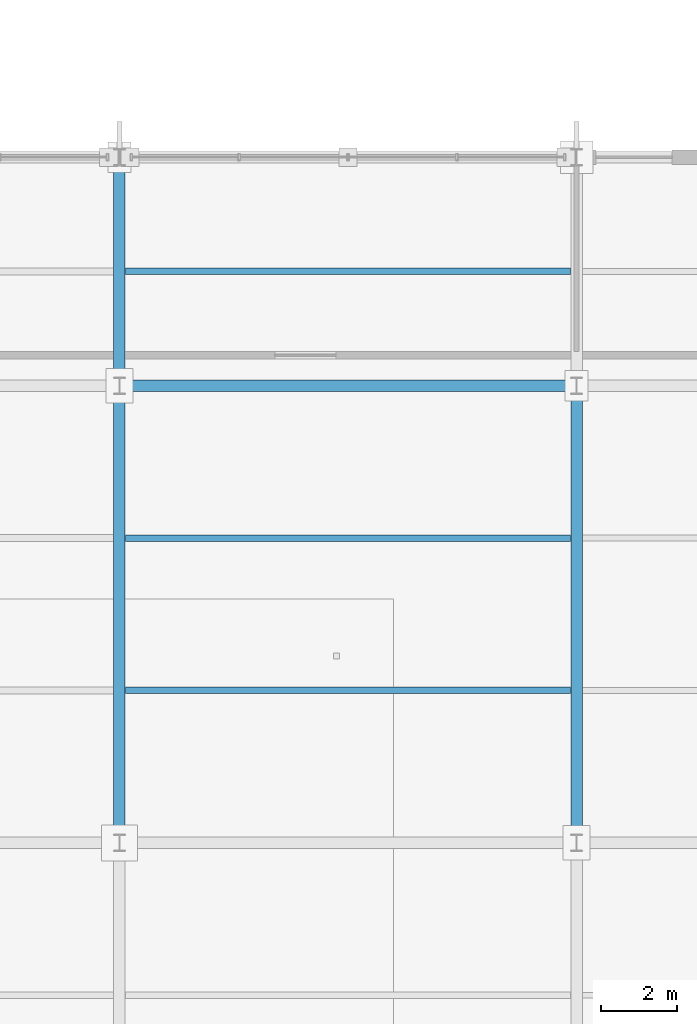
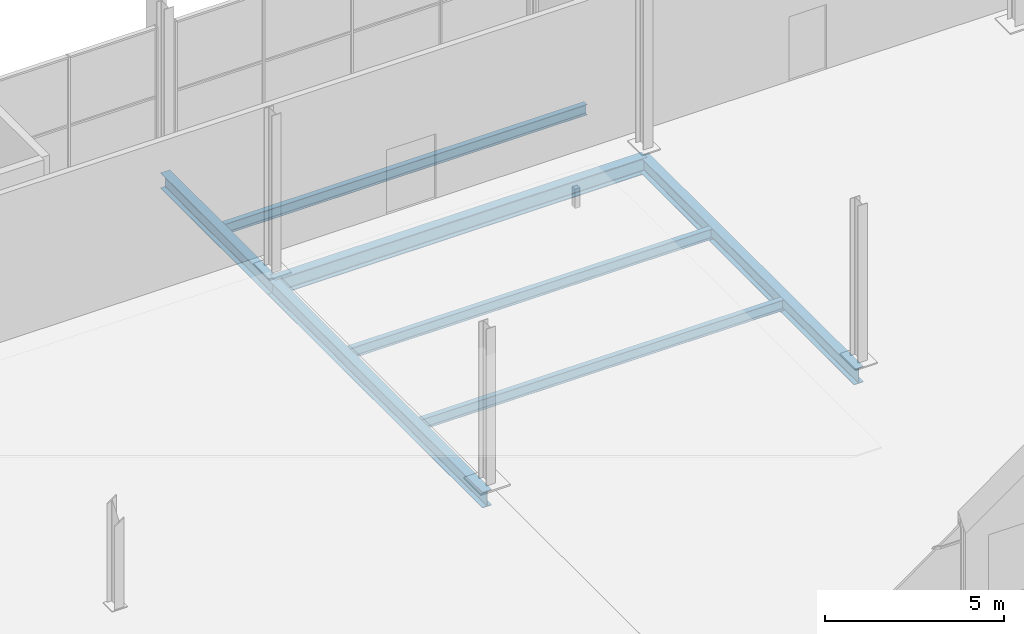
# One storey, part 86 of 196: 7 beams.
"""IFC4 building model written with IfcOpenShell, lengths in metres."""

from ifc_helpers import new_model, si_unit, direction, frame, origin, origin_2d, place, context, subcontext, project, spatial, i_section, extrude, material, material_profile, profile_set, type_object, element, save


model = new_model("IFC4")

# Units and contexts
model_context = context("Model", 3, precision=1e-05, world=origin(), true_north=direction((0.0, 1.0)))
body_context = subcontext(model_context, "Body", "Model", "MODEL_VIEW")
ifc_project = project(units=[si_unit("LENGTHUNIT", "METRE"), si_unit("AREAUNIT", "SQUARE_METRE"), si_unit("VOLUMEUNIT", "CUBIC_METRE"), si_unit("PLANEANGLEUNIT", "RADIAN"), si_unit("MASSUNIT", "GRAM", prefix="KILO")], contexts=[model_context])

# Site, building, storey
site_placement = place(None, origin())
site = spatial("IfcSite", under=ifc_project, at=site_placement, CompositionType="ELEMENT")
building_placement = place(site_placement, origin())
building = spatial("IfcBuilding", under=site, at=building_placement, Name="Merenkruunu Market Hall", CompositionType="ELEMENT")
storey_placement = place(building_placement, origin())
storey = spatial("IfcBuildingStorey", under=building, at=storey_placement, Name="L00", CompositionType="ELEMENT", Elevation=0.0)

# Beams
ifc_material = material(Name="Steel S355J2", Category="steel")
ifc_material_profile_1 = material_profile(ifc_material, i_section(OverallWidth=0.300048828125, OverallDepth=0.550048828125, WebThickness=0.014892578125, FlangeThickness=0.029052734375, FilletRadius=0.027099609375, at=origin_2d()), Name="HEB 550")
ifc_profile_set_1 = profile_set([ifc_material_profile_1], Name="Steel S355J2")
beam_type_1 = type_object("IfcBeamType", Name="Primary Floor Girder B02", PredefinedType="BEAM", material=ifc_profile_set_1)
beam_1_placement = place(storey_placement, frame((112.800048828125, 39.60009765625, -0.574951171875), z_axis=(1.0, 0.0, 0.0), x_axis=(0.0, 1.0, 0.0)))
element("IfcBeam", 1, at=beam_1_placement, inside=storey, type_object=beam_type_1, Name="BM-L00-B02-0056", PredefinedType="BEAM", context=body_context, shape_type="SweptSolid", body=[
    extrude(i_section(OverallWidth=0.300048828125, OverallDepth=0.550048828125, WebThickness=0.014892578125, FlangeThickness=0.029052734375, FilletRadius=0.027099609375, at=origin_2d()), origin(), (0.0, 0.0, 1.0), 12.0),
])
ifc_material_profile_2 = material_profile(ifc_material, i_section(OverallWidth=0.300048828125, OverallDepth=0.5400390625, WebThickness=0.012451171875, FlangeThickness=0.02392578125, FilletRadius=0.027099609375, at=origin_2d()), Name="HEA 550")
ifc_profile_set_2 = profile_set([ifc_material_profile_2], Name="Steel S355J2")
beam_type_2 = type_object("IfcBeamType", Name="Primary Floor Girder B06", PredefinedType="BEAM", material=ifc_profile_set_2)
beam_2_placement = place(storey_placement, frame((112.800048828125, 27.60009765625, -0.570068359375), z_axis=(0.0, 1.0, 0.0), x_axis=(-1.0, 0.0, 0.0)))
element("IfcBeam", 2, at=beam_2_placement, inside=storey, type_object=beam_type_2, Name="BM-L00-B06-0222", PredefinedType="BEAM", context=body_context, shape_type="SweptSolid", body=[
    extrude(i_section(OverallWidth=0.300048828125, OverallDepth=0.5400390625, WebThickness=0.012451171875, FlangeThickness=0.02392578125, FilletRadius=0.027099609375, at=origin_2d()), origin(), (0.0, 0.0, 1.0), 12.0),
])
beam_3_placement = place(storey_placement, frame((112.800048828125, 39.60009765625, -0.570068359375), z_axis=(0.0, 1.0, 0.0), x_axis=(-1.0, 0.0, 0.0)))
element("IfcBeam", 3, at=beam_3_placement, inside=storey, type_object=beam_type_2, Name="BM-L00-B06-0223", PredefinedType="BEAM", context=body_context, shape_type="SweptSolid", body=[
    extrude(i_section(OverallWidth=0.300048828125, OverallDepth=0.5400390625, WebThickness=0.012451171875, FlangeThickness=0.02392578125, FilletRadius=0.027099609375, at=origin_2d()), origin(), (0.0, 0.0, 1.0), 6.0),
])
beam_4_placement = place(storey_placement, frame((124.800048828125, 27.60009765625, -0.570068359375), z_axis=(0.0, 1.0, 0.0), x_axis=(-1.0, 0.0, 0.0)))
element("IfcBeam", 4, at=beam_4_placement, inside=storey, type_object=beam_type_2, Name="BM-L00-B06-0228", PredefinedType="BEAM", context=body_context, shape_type="SweptSolid", body=[
    extrude(i_section(OverallWidth=0.300048828125, OverallDepth=0.5400390625, WebThickness=0.012451171875, FlangeThickness=0.02392578125, FilletRadius=0.027099609375, at=origin_2d()), origin(), (0.0, 0.0, 1.0), 12.0),
])
ifc_material_profile_3 = material_profile(ifc_material, i_section(OverallWidth=0.169921875, OverallDepth=0.360107421875, WebThickness=0.008056640625, FlangeThickness=0.0126953125, FilletRadius=0.01806640625, at=origin_2d()), Name="IPE 360")
ifc_profile_set_3 = profile_set([ifc_material_profile_3], Name="Steel S355J2")
beam_type_3 = type_object("IfcBeamType", Name="Secondary Floor Joist J03", PredefinedType="JOIST", material=ifc_profile_set_3)
for number, where, z_axis, x_axis, name in (
    (5, (112.952880859375, 31.60009765625, -0.47998046875), (1.0, 0.0, 0.0), (0.0, 1.0, 0.0), "BM-L00-J03-0398"),
    (6, (112.952880859375, 35.60009765625, -0.47998046875), (1.0, 0.0, 0.0), (0.0, 1.0, 0.0), "BM-L00-J03-0399"),
    (7, (112.952880859375, 42.60009765625, -0.47998046875), (1.0, 0.0, 0.0), (0.0, 1.0, 0.0), "BM-L00-J03-0400"),
):
    element("IfcBeam", number, at=place(storey_placement, frame(where, z_axis=z_axis, x_axis=x_axis)), inside=storey, type_object=beam_type_3, Name=name, PredefinedType="JOIST", context=body_context, shape_type="SweptSolid", body=[
        extrude(i_section(OverallWidth=0.169921875, OverallDepth=0.360107421875, WebThickness=0.008056640625, FlangeThickness=0.0126953125, FilletRadius=0.01806640625, at=origin_2d()), origin(), (0.0, 0.0, 1.0), 11.694091796875),
    ])

save(model, "model.ifc")
